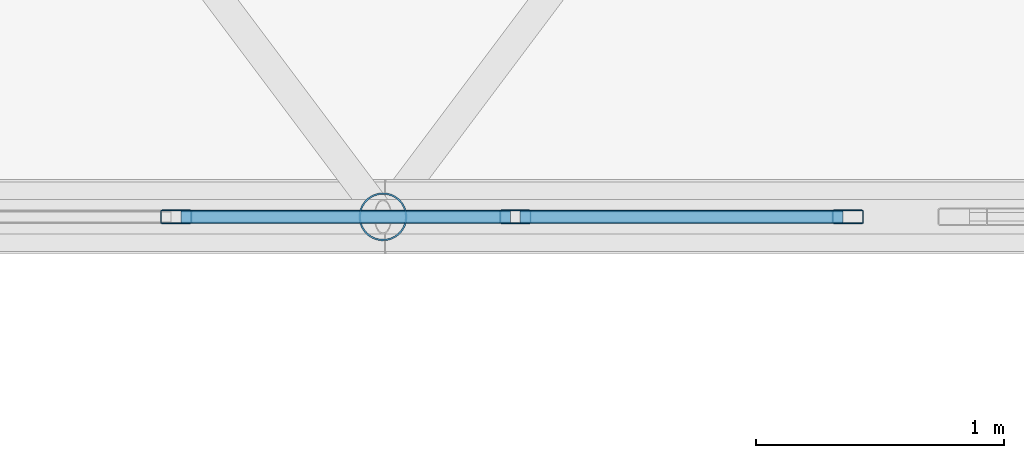
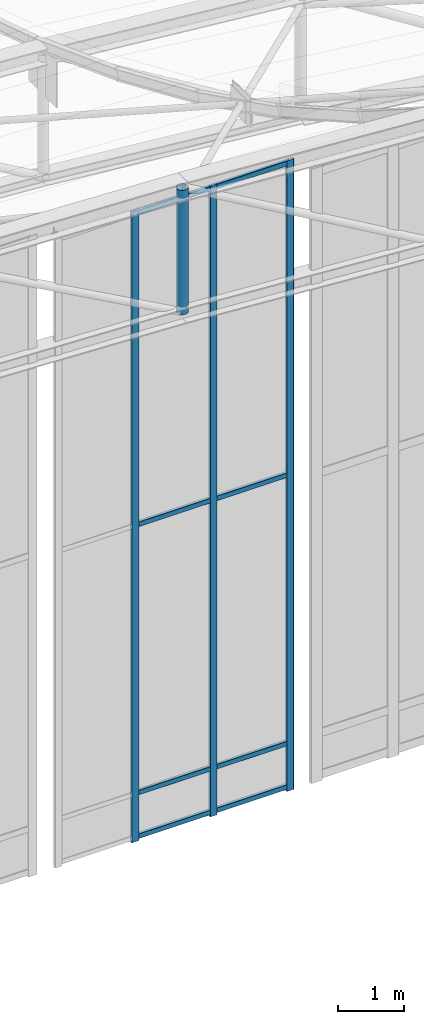
# One storey, part 62 of 262: 12 members, 1 element without a shape of its own.
"""IFC4 building model written with IfcOpenShell, lengths in metres."""

from ifc_helpers import new_model, si_unit, derived_unit, direction, frame, origin, origin_2d, place, context, subcontext, project, spatial, hollow_rectangle, hollow_circle, extrude, material, layer, layer_set, material_profile, profile_set, type_object, element, aggregate, save


model = new_model("IFC4")

# Units and contexts
model_context = context("Model", 3, precision=1e-05, world=origin(), true_north=direction((0.0, 1.0)))
body_context = subcontext(model_context, "Body", "Model", "MODEL_VIEW")
ifc_project = project(units=[si_unit("LENGTHUNIT", "METRE"), si_unit("AREAUNIT", "SQUARE_METRE"), si_unit("VOLUMEUNIT", "CUBIC_METRE"), si_unit("PLANEANGLEUNIT", "RADIAN"), si_unit("MASSUNIT", "GRAM", prefix="KILO"), derived_unit("THERMALTRANSMITTANCEUNIT", [(si_unit("POWERUNIT", "WATT"), 1), (si_unit("LENGTHUNIT", "METRE"), -2), (si_unit("THERMODYNAMICTEMPERATUREUNIT", "KELVIN"), -1)])], contexts=[model_context])

# Site, building, storey
site_placement = place(None, origin())
site = spatial("IfcSite", under=ifc_project, at=site_placement, CompositionType="ELEMENT")
building_placement = place(site_placement, origin())
building = spatial("IfcBuilding", under=site, at=building_placement, Name="Almenara Railside Exhibition Hall", CompositionType="ELEMENT")
storey_placement = place(building_placement, frame((0.0, 0.0, 21.699951171875)))
storey = spatial("IfcBuildingStorey", under=building, at=storey_placement, Name="RF", CompositionType="ELEMENT", Elevation=21.699951171875)

# Curtain wall, members
ifc_material_1 = material(Name="Bronze-anodised aluminium and low-E double glazing", Category="aluminium")
ifc_layer = layer(ifc_material_1, 0.179931640625, Name="Bronze-anodised aluminium and low-E double glazing")
ifc_layer_set = layer_set([ifc_layer], Name="Bronze-anodised aluminium and low-E double glazing")
curtain_wall_type = type_object("IfcCurtainWallType", Name="Scroll Gable Tall Curtain Wall 3800x5400", PredefinedType="NOTDEFINED", material=ifc_layer_set)
curtain_wall_placement = place(storey_placement, origin())
curtain_wall = element("IfcCurtainWall", 1, at=curtain_wall_placement, inside=storey, type_object=curtain_wall_type, Name="Curtain wall CW-G1-203", PredefinedType="NOTDEFINED")
ifc_material_2 = material(Name="Bronze-anodised aluminium", Category="aluminium")
ifc_material_profile_1 = material_profile(ifc_material_2, hollow_rectangle(XDim=0.054931640625, YDim=0.125, WallThickness=0.0029296875, InnerFilletRadius=0.0029296875, OuterFilletRadius=0.006103515625, at=origin_2d()), Name="ALU-MUL 55x125x3")
ifc_profile_set_1 = profile_set([ifc_material_profile_1], Name="Bronze-anodised aluminium")
member_type_1 = type_object("IfcMemberType", Name="Curtain Wall Mullion 55x125x3", PredefinedType="MULLION", material=ifc_profile_set_1)
member_1_placement = place(storey_placement, frame((47.166748046875, 48.0, -0.93505859375), z_axis=(0.0, 0.0, 1.0), x_axis=(0.0, 1.0, 0.0)))
member_1 = element("IfcMember", 2, at=member_1_placement, type_object=member_type_1, Name="CW-G1-203 mullion 2", PredefinedType="MULLION", context=body_context, shape_type="SweptSolid", body=[
    extrude(hollow_rectangle(XDim=0.054931640625, YDim=0.125, WallThickness=0.0029296875, InnerFilletRadius=0.0029296875, OuterFilletRadius=0.006103515625, at=origin_2d()), origin(), (0.0, 0.0, 1.0), 11.64501953125),
])
member_2_placement = place(storey_placement, frame((48.533447265625, 48.0, -0.93505859375), z_axis=(0.0, 0.0, 1.0), x_axis=(0.0, 1.0, 0.0)))
member_2 = element("IfcMember", 3, at=member_2_placement, type_object=member_type_1, Name="CW-G1-203 mullion 3", PredefinedType="MULLION", context=body_context, shape_type="SweptSolid", body=[
    extrude(hollow_rectangle(XDim=0.054931640625, YDim=0.125, WallThickness=0.0029296875, InnerFilletRadius=0.0029296875, OuterFilletRadius=0.006103515625, at=origin_2d()), origin(), (0.0, 0.0, 1.0), 11.64501953125),
])
member_3_placement = place(storey_placement, frame((49.87255859375, 48.0, -0.93505859375), z_axis=(0.0, 0.0, 1.0), x_axis=(0.0, 1.0, 0.0)))
member_3 = element("IfcMember", 4, at=member_3_placement, type_object=member_type_1, Name="CW-G1-203 mullion 4", PredefinedType="MULLION", context=body_context, shape_type="SweptSolid", body=[
    extrude(hollow_rectangle(XDim=0.054931640625, YDim=0.125, WallThickness=0.0029296875, InnerFilletRadius=0.0029296875, OuterFilletRadius=0.006103515625, at=origin_2d()), origin(), (0.0, 0.0, 1.0), 11.64501953125),
])
ifc_material_profile_2 = material_profile(ifc_material_2, hollow_rectangle(XDim=0.054931640625, YDim=0.090087890625, WallThickness=0.0029296875, InnerFilletRadius=0.0029296875, OuterFilletRadius=0.006103515625, at=origin_2d()), Name="ALU-TRN 55x90x3")
ifc_profile_set_2 = profile_set([ifc_material_profile_2], Name="Bronze-anodised aluminium")
member_type_2 = type_object("IfcMemberType", Name="Curtain Wall Transom 55x90x3", PredefinedType="USERDEFINED", material=ifc_profile_set_2)
member_4_placement = place(storey_placement, frame((47.186279296875, 48.0, -0.85498046875), z_axis=(1.0, 0.0, 0.0), x_axis=(0.0, 1.0, 0.0)))
member_4 = element("IfcMember", 5, at=member_4_placement, type_object=member_type_2, Name="CW-G1-203 transom 2.1", ObjectType="TRANSOM", PredefinedType="USERDEFINED", context=body_context, shape_type="SweptSolid", body=[
    extrude(hollow_rectangle(XDim=0.054931640625, YDim=0.090087890625, WallThickness=0.0029296875, InnerFilletRadius=0.0029296875, OuterFilletRadius=0.006103515625, at=origin_2d()), origin(), (0.0, 0.0, 1.0), 1.32763671875),
])
member_5_placement = place(storey_placement, frame((47.186279296875, 48.0, -0.050048828125), z_axis=(1.0, 0.0, 0.0), x_axis=(0.0, 1.0, 0.0)))
member_5 = element("IfcMember", 6, at=member_5_placement, type_object=member_type_2, Name="CW-G1-203 transom 2.2", ObjectType="TRANSOM", PredefinedType="USERDEFINED", context=body_context, shape_type="SweptSolid", body=[
    extrude(hollow_rectangle(XDim=0.054931640625, YDim=0.090087890625, WallThickness=0.0029296875, InnerFilletRadius=0.0029296875, OuterFilletRadius=0.006103515625, at=origin_2d()), origin(), (0.0, 0.0, 1.0), 1.32763671875),
])
member_6_placement = place(storey_placement, frame((47.186279296875, 48.0, 4.905029296875), z_axis=(1.0, 0.0, 0.0), x_axis=(0.0, 1.0, 0.0)))
member_6 = element("IfcMember", 7, at=member_6_placement, type_object=member_type_2, Name="CW-G1-203 transom 2.3", ObjectType="TRANSOM", PredefinedType="USERDEFINED", context=body_context, shape_type="SweptSolid", body=[
    extrude(hollow_rectangle(XDim=0.054931640625, YDim=0.090087890625, WallThickness=0.0029296875, InnerFilletRadius=0.0029296875, OuterFilletRadius=0.006103515625, at=origin_2d()), origin(), (0.0, 0.0, 1.0), 1.32763671875),
])
member_7_placement = place(storey_placement, frame((47.186279296875, 48.0, 10.6650390625), z_axis=(1.0, 0.0, 0.0), x_axis=(0.0, 1.0, 0.0)))
member_7 = element("IfcMember", 8, at=member_7_placement, type_object=member_type_2, Name="CW-G1-203 transom 2.4", ObjectType="TRANSOM", PredefinedType="USERDEFINED", context=body_context, shape_type="SweptSolid", body=[
    extrude(hollow_rectangle(XDim=0.054931640625, YDim=0.090087890625, WallThickness=0.0029296875, InnerFilletRadius=0.0029296875, OuterFilletRadius=0.006103515625, at=origin_2d()), origin(), (0.0, 0.0, 1.0), 1.32763671875),
])
member_8_placement = place(storey_placement, frame((48.552734375, 48.0, -0.85498046875), z_axis=(1.0, 0.0, 0.0), x_axis=(0.0, 1.0, 0.0)))
member_8 = element("IfcMember", 9, at=member_8_placement, type_object=member_type_2, Name="CW-G1-203 transom 3.1", ObjectType="TRANSOM", PredefinedType="USERDEFINED", context=body_context, shape_type="SweptSolid", body=[
    extrude(hollow_rectangle(XDim=0.054931640625, YDim=0.090087890625, WallThickness=0.0029296875, InnerFilletRadius=0.0029296875, OuterFilletRadius=0.006103515625, at=origin_2d()), origin(), (0.0, 0.0, 1.0), 1.30029296875),
])
member_9_placement = place(storey_placement, frame((48.552734375, 48.0, -0.050048828125), z_axis=(1.0, 0.0, 0.0), x_axis=(0.0, 1.0, 0.0)))
member_9 = element("IfcMember", 10, at=member_9_placement, type_object=member_type_2, Name="CW-G1-203 transom 3.2", ObjectType="TRANSOM", PredefinedType="USERDEFINED", context=body_context, shape_type="SweptSolid", body=[
    extrude(hollow_rectangle(XDim=0.054931640625, YDim=0.090087890625, WallThickness=0.0029296875, InnerFilletRadius=0.0029296875, OuterFilletRadius=0.006103515625, at=origin_2d()), origin(), (0.0, 0.0, 1.0), 1.30029296875),
])
member_10_placement = place(storey_placement, frame((48.552734375, 48.0, 4.905029296875), z_axis=(1.0, 0.0, 0.0), x_axis=(0.0, 1.0, 0.0)))
member_10 = element("IfcMember", 11, at=member_10_placement, type_object=member_type_2, Name="CW-G1-203 transom 3.3", ObjectType="TRANSOM", PredefinedType="USERDEFINED", context=body_context, shape_type="SweptSolid", body=[
    extrude(hollow_rectangle(XDim=0.054931640625, YDim=0.090087890625, WallThickness=0.0029296875, InnerFilletRadius=0.0029296875, OuterFilletRadius=0.006103515625, at=origin_2d()), origin(), (0.0, 0.0, 1.0), 1.30029296875),
])
member_11_placement = place(storey_placement, frame((48.552734375, 48.0, 10.6650390625), z_axis=(1.0, 0.0, 0.0), x_axis=(0.0, 1.0, 0.0)))
member_11 = element("IfcMember", 12, at=member_11_placement, type_object=member_type_2, Name="CW-G1-203 transom 3.4", ObjectType="TRANSOM", PredefinedType="USERDEFINED", context=body_context, shape_type="SweptSolid", body=[
    extrude(hollow_rectangle(XDim=0.054931640625, YDim=0.090087890625, WallThickness=0.0029296875, InnerFilletRadius=0.0029296875, OuterFilletRadius=0.006103515625, at=origin_2d()), origin(), (0.0, 0.0, 1.0), 1.30029296875),
])
aggregate(curtain_wall, [member_1, member_2, member_3, member_4, member_5, member_6, member_7, member_8, member_9, member_10, member_11])

# Member
ifc_material_3 = material(Name="Structural steel S355JR", Category="steel")
ifc_material_profile_3 = material_profile(ifc_material_3, hollow_circle(Radius=0.096923828125, WallThickness=0.00634765625, at=origin_2d()), Name="CHS 193.7x6.3")
ifc_profile_set_3 = profile_set([ifc_material_profile_3], Name="Structural steel S355JR")
member_type_3 = type_object("IfcMemberType", Name="Truss Standard Vertical Strut CHS 193.7x6.3 S355JR", PredefinedType="BRACE", material=ifc_profile_set_3)
member_12_placement = place(storey_placement, frame((48.0, 48.0, 8.5556640625), z_axis=(0.0, 0.0, 1.0), x_axis=(1.0, 0.0, 0.0)))
element("IfcMember", 13, at=member_12_placement, inside=storey, type_object=member_type_3, Name="MEM-TV-V1-00-08", PredefinedType="BRACE", context=body_context, shape_type="SweptSolid", body=[
    extrude(hollow_circle(Radius=0.096923828125, WallThickness=0.00634765625, at=origin_2d()), origin(), (0.0, 0.0, 1.0), 2.300048828125),
])

save(model, "model.ifc")
